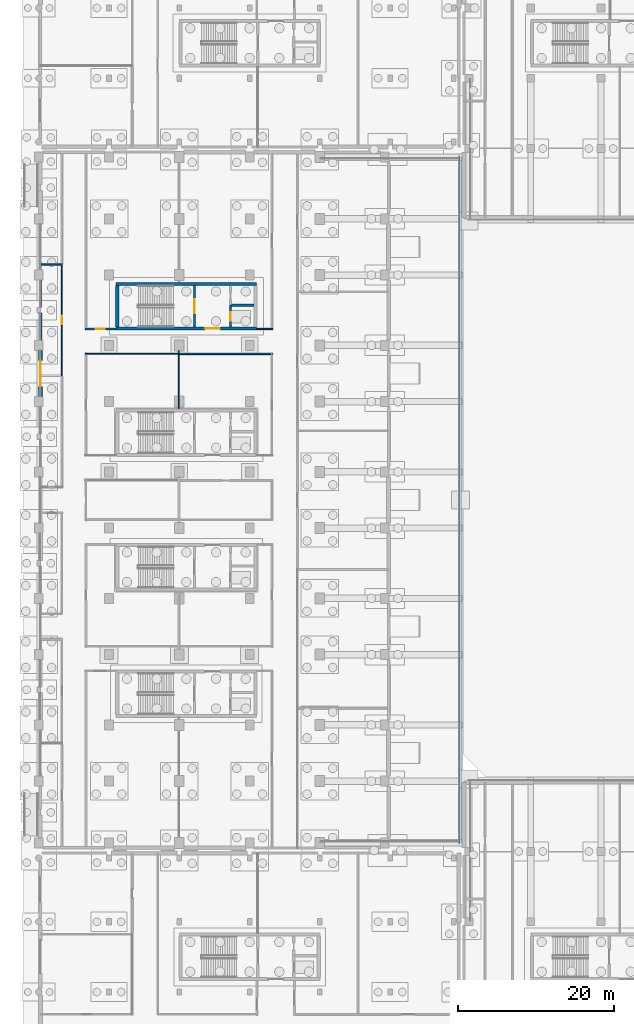
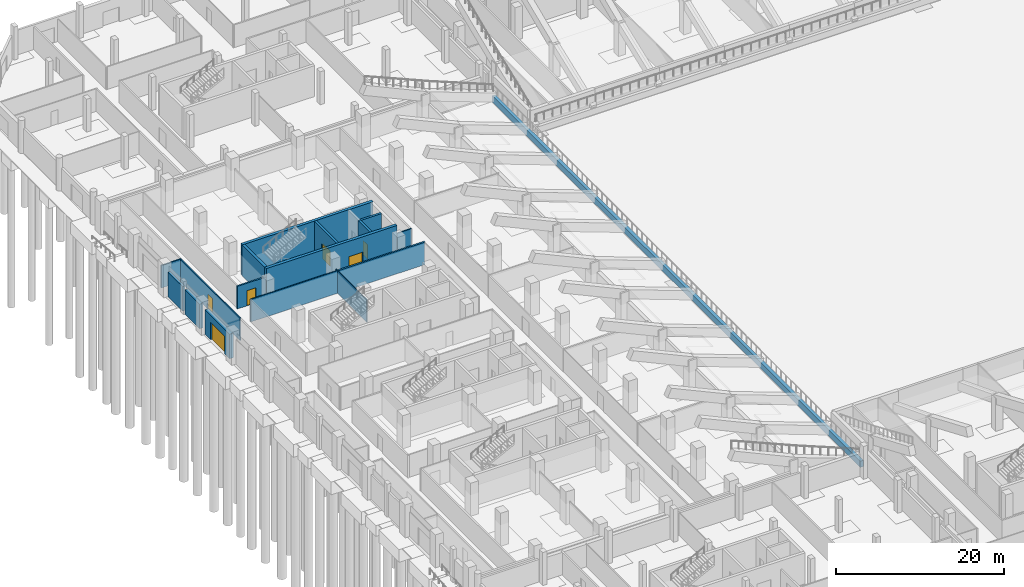
# One storey, part 21 of 53: 17 walls, 6 doors, 6 openings.
"""IFC4 building model written with IfcOpenShell, lengths in metres."""

from ifc_helpers import new_model, si_unit, direction, frame, frame_2d, origin, place, context, subcontext, project, spatial, rectangle, extrude, material, layer, layer_set, type_object, element, fill, save


model = new_model("IFC4")

# Units and contexts
model_context = context("Model", 3, precision=1e-05, world=origin(), true_north=direction((0.0, 1.0)))
body_context = subcontext(model_context, "Body", "Model", "MODEL_VIEW")
ifc_project = project(units=[si_unit("LENGTHUNIT", "METRE"), si_unit("AREAUNIT", "SQUARE_METRE"), si_unit("VOLUMEUNIT", "CUBIC_METRE"), si_unit("PLANEANGLEUNIT", "RADIAN"), si_unit("MASSUNIT", "GRAM", prefix="KILO"), si_unit("THERMODYNAMICTEMPERATUREUNIT", "KELVIN"), si_unit("POWERUNIT", "WATT")], contexts=[model_context])

# Site, building, storey
site_placement = place(None, origin())
site = spatial("IfcSite", under=ifc_project, at=site_placement, CompositionType="ELEMENT")
building_placement = place(site_placement, origin())
building = spatial("IfcBuilding", under=site, at=building_placement, Name="Sindhuravela Promenade Stadium", CompositionType="ELEMENT")
storey_placement = place(building_placement, origin())
storey = spatial("IfcBuildingStorey", under=building, at=storey_placement, Name="L00", CompositionType="ELEMENT", Elevation=0.0)

# Walls
ifc_material_1 = material(Name="Dholpur sandstone ashlar (45 MPa)", Category="masonry")
ifc_layer_1 = layer(ifc_material_1, 0.31005859375)
ifc_layer_set_1 = layer_set([ifc_layer_1], Name="Dholpur sandstone ashlar (45 MPa)")
wall_type_1 = type_object("IfcWallType", Name="EX-WL-SND310", PredefinedType="SOLIDWALL", material=ifc_layer_set_1)
wall_1_placement = place(storey_placement, frame((0.199951171875, 105.655029296875, 0.0), z_axis=(0.0, 0.0, 1.0), x_axis=(0.0, 1.0, 0.0)))
element("IfcWall", 1, at=wall_1_placement, inside=storey, type_object=wall_type_1, Name="Exterior masonry wall EW09 WEST L00", PredefinedType="SOLIDWALL", context=body_context, shape_type="SweptSolid", body=[
    extrude(rectangle(XDim=3.489990234375, YDim=0.31005859375, at=frame_2d((1.7451171875, 0.0))), origin(), (0.0, 0.0, 1.0), 3.580078125),
])
ifc_layer_2 = layer(ifc_material_1, 0.47998046875)
ifc_layer_set_2 = layer_set([ifc_layer_2], Name="Dholpur sandstone ashlar (45 MPa)")
wall_type_2 = type_object("IfcWallType", Name="EX-WL-SND480", PredefinedType="SOLIDWALL", material=ifc_layer_set_2)
wall_2_placement = place(storey_placement, frame((0.199951171875, 101.455078125, 0.0), z_axis=(0.0, 0.0, 1.0), x_axis=(0.0, 1.0, 0.0)))
element("IfcWall", 2, at=wall_2_placement, inside=storey, type_object=wall_type_2, Name="Exterior masonry wall EW08 WEST L00", PredefinedType="SOLIDWALL", context=body_context, shape_type="SweptSolid", body=[
    extrude(rectangle(XDim=3.489990234375, YDim=0.47998046875, at=frame_2d((1.7451171875, 0.0))), origin(), (0.0, 0.0, 1.0), 3.580078125),
])

# Wall, opening, door
ifc_layer_3 = layer(ifc_material_1, 0.5)
ifc_layer_set_3 = layer_set([ifc_layer_3], Name="Dholpur sandstone ashlar (45 MPa)")
wall_type_3 = type_object("IfcWallType", Name="EX-WL-SND500", PredefinedType="SOLIDWALL", material=ifc_layer_set_3)
wall_3_placement = place(storey_placement, frame((0.199951171875, 94.2548828125, 0.0), z_axis=(0.0, 0.0, 1.0), x_axis=(0.0, 1.0, 0.0)))
wall_3 = element("IfcWall", 3, at=wall_3_placement, inside=storey, type_object=wall_type_3, Name="Exterior masonry wall EW07 WEST L00", PredefinedType="SOLIDWALL", context=body_context, shape_type="SweptSolid", body=[
    extrude(rectangle(XDim=5.89013671875, YDim=0.5, at=frame_2d((2.945068359375, 0.0))), origin(), (0.0, 0.0, 1.0), 3.580078125),
])
opening_1_placement = place(wall_3_placement, frame((1.294921875, 0.0, 0.0)))
opening_1 = element("IfcOpeningElement", 4, at=opening_1_placement, cuts=wall_3, Name="Opening E12", PredefinedType="OPENING", context=body_context, shape_type="SweptSolid", body=[
    extrude(rectangle(XDim=3.300048828125, YDim=2.550048828125, at=frame_2d((1.64990234375, 1.27490234375))), frame((0.0, 0.260009765625, 0.0), z_axis=(0.0, -1.0, 0.0), x_axis=(1.0, 0.0, 0.0)), (0.0, 0.0, 1.0), 0.52001953125),
])
ifc_material_2 = material(Name="Anodised architectural aluminium 6063-T6", Category="aluminium")
door_type_1 = type_object("IfcDoorType", Name="DR-EXIT-3300x2550", OperationType="DOUBLE_DOOR_SINGLE_SWING", PredefinedType="DOOR", material=ifc_material_2)
door_1_placement = place(opening_1_placement, origin())
door_1 = element("IfcDoor", 5, at=door_1_placement, inside=storey, type_object=door_type_1, Name="Final exit door E12", OperationType="DOUBLE_DOOR_SINGLE_SWING", OverallHeight=2.550048828125, OverallWidth=3.300048828125, PredefinedType="DOOR", context=body_context, shape_type="SweptSolid", body=[
    extrude(rectangle(XDim=3.300048828125, YDim=2.550048828125, at=frame_2d((1.64990234375, 1.27490234375))), frame((0.0, 0.02490234375, 0.0), z_axis=(0.0, -1.0, 0.0), x_axis=(1.0, 0.0, 0.0)), (0.0, 0.0, 1.0), 0.050048828125),
])
fill(opening_1, door_1)

# Walls
ifc_material_3 = material(Name="Fire-rated gypsum partition board", Category="gypsum")
ifc_layer_4 = layer(ifc_material_3, 0.1298828125)
ifc_layer_set_4 = layer_set([ifc_layer_4], Name="Fire-rated gypsum partition board")
wall_type_4 = type_object("IfcWallType", Name="IN-WL-PAR130", PredefinedType="PARTITIONING", material=ifc_layer_set_4)
wall_4_placement = place(storey_placement, frame((17.949951171875, 100.097900390625, 0.0), z_axis=(0.0, 0.0, 1.0), x_axis=(0.0, -1.0, 0.0)))
element("IfcWall", 6, at=wall_4_placement, inside=storey, type_object=wall_type_4, Name="Interior partition IW05 WEST L00", PredefinedType="PARTITIONING", context=body_context, shape_type="SweptSolid", body=[
    extrude(rectangle(XDim=7.44580078125, YDim=0.1298828125, at=frame_2d((3.722900390625, 0.0))), origin(), (0.0, 0.0, 1.0), 3.280029296875),
])
ifc_layer_5 = layer(ifc_material_3, 0.14990234375)
ifc_layer_set_5 = layer_set([ifc_layer_5], Name="Fire-rated gypsum partition board")
wall_type_5 = type_object("IfcWallType", Name="IN-WL-PAR150", PredefinedType="PARTITIONING", material=ifc_layer_set_5)
wall_5_placement = place(storey_placement, frame((5.9599609375, 99.7099609375, 0.0), z_axis=(0.0, 0.0, 1.0), x_axis=(1.0, 0.0, 0.0)))
element("IfcWall", 7, at=wall_5_placement, inside=storey, type_object=wall_type_5, Name="Interior partition IW04 WEST L00", PredefinedType="PARTITIONING", context=body_context, shape_type="SweptSolid", body=[
    extrude(rectangle(XDim=11.949951171875, YDim=0.14990234375, at=frame_2d((5.97509765625, 0.0))), origin(), (0.0, 0.0, 1.0), 3.280029296875),
])

# Wall, opening, door
wall_6_placement = place(storey_placement, frame((2.9599609375, 96.9033203125, 0.0), z_axis=(0.0, 0.0, 1.0), x_axis=(0.0, 1.0, 0.0)))
wall_6 = element("IfcWall", 8, at=wall_6_placement, inside=storey, type_object=wall_type_5, Name="Corridor partition IW04 Media Mixed Zone Hall 8", PredefinedType="PARTITIONING", context=body_context, shape_type="SweptSolid", body=[
    extrude(rectangle(XDim=14.263427734375, YDim=0.14990234375, at=frame_2d((7.1318359375, 0.0))), origin(), (0.0, 0.0, 1.0), 3.280029296875),
])
opening_2_placement = place(wall_6_placement, frame((6.591796875, 0.0, 0.0)))
opening_2 = element("IfcOpeningElement", 9, at=opening_2_placement, cuts=wall_6, Name="Opening ID12", PredefinedType="OPENING", context=body_context, shape_type="SweptSolid", body=[
    extrude(rectangle(XDim=1.080078125, YDim=2.179931640625, at=frame_2d((0.5400390625, 1.08984375))), frame((0.0, 0.0849609375, 0.0), z_axis=(0.0, -1.0, 0.0), x_axis=(1.0, 0.0, 0.0)), (0.0, 0.0, 1.0), 0.169921875),
])
ifc_material_4 = material(Name="Architectural teak timber leaf", Category="wood")
door_type_2 = type_object("IfcDoorType", Name="DR-INT-1080x2180", OperationType="NOTDEFINED", PredefinedType="DOOR", material=ifc_material_4)
door_2_placement = place(opening_2_placement, origin())
door_2 = element("IfcDoor", 10, at=door_2_placement, inside=storey, type_object=door_type_2, Name="Media Mixed Zone Hall 8 door", OperationType="SINGLE_SWING_LEFT", OverallHeight=2.179931640625, OverallWidth=1.080078125, PredefinedType="DOOR", context=body_context, shape_type="SweptSolid", body=[
    extrude(rectangle(XDim=1.080078125, YDim=2.179931640625, at=frame_2d((0.5400390625, 1.08984375))), frame((0.0, 0.02490234375, 0.0), z_axis=(0.0, -1.0, 0.0), x_axis=(1.0, 0.0, 0.0)), (0.0, 0.0, 1.0), 0.050048828125),
])
fill(opening_2, door_2)

# Walls
ifc_layer_6 = layer(ifc_material_3, 0.175048828125)
ifc_layer_set_6 = layer_set([ifc_layer_6], Name="Fire-rated gypsum partition board")
wall_type_6 = type_object("IfcWallType", Name="IN-WL-PAR175", PredefinedType="PARTITIONING", material=ifc_layer_set_6)
wall_7_placement = place(storey_placement, frame((29.93994140625, 102.889892578125, 0.0), z_axis=(0.0, 0.0, 1.0), x_axis=(-1.0, 0.0, 0.0)))
element("IfcWall", 11, at=wall_7_placement, inside=storey, type_object=wall_type_6, Name="Interior partition IW03 WEST L00", PredefinedType="PARTITIONING", context=body_context, shape_type="SweptSolid", body=[
    extrude(rectangle(XDim=2.037841796875, YDim=0.175048828125, at=frame_2d((1.01904296875, 0.0))), origin(), (0.0, 0.0, 1.0), 3.280029296875),
])
wall_8_placement = place(storey_placement, frame((3.0400390625, 111.166748046875, 0.0), z_axis=(0.0, 0.0, 1.0), x_axis=(-1.0, 0.0, 0.0)))
element("IfcWall", 12, at=wall_8_placement, inside=storey, type_object=wall_type_6, Name="Interior partition IW03 WEST L00", PredefinedType="PARTITIONING", context=body_context, shape_type="SweptSolid", body=[
    extrude(rectangle(XDim=2.800048828125, YDim=0.175048828125, at=frame_2d((1.39990234375, 0.0))), origin(), (0.0, 0.0, 1.0), 3.280029296875),
])

# Wall, opening, door
ifc_layer_7 = layer(ifc_material_3, 0.219970703125)
ifc_layer_set_7 = layer_set([ifc_layer_7], Name="Fire-rated gypsum partition board")
wall_type_7 = type_object("IfcWallType", Name="IN-WL-PAR220", PredefinedType="PARTITIONING", material=ifc_layer_set_7)
wall_9_placement = place(storey_placement, frame((5.919921875, 102.889892578125, 0.0), z_axis=(0.0, 0.0, 1.0), x_axis=(1.0, 0.0, 0.0)))
wall_9 = element("IfcWall", 13, at=wall_9_placement, inside=storey, type_object=wall_type_7, Name="Corridor partition IW01 Fire Command Centre", PredefinedType="PARTITIONING", context=body_context, shape_type="SweptSolid", body=[
    extrude(rectangle(XDim=3.97802734375, YDim=0.219970703125, at=frame_2d((1.989013671875, 0.0))), origin(), (0.0, 0.0, 1.0), 3.280029296875),
])
opening_3_placement = place(wall_9_placement, frame((1.35009765625, 0.0, 0.0)))
opening_3 = element("IfcOpeningElement", 14, at=opening_3_placement, cuts=wall_9, Name="Opening FD04", PredefinedType="OPENING", context=body_context, shape_type="SweptSolid", body=[
    extrude(rectangle(XDim=1.199951171875, YDim=2.199951171875, at=frame_2d((0.60009765625, 1.10009765625))), frame((0.0, 0.119873046875, 0.0), z_axis=(0.0, -1.0, 0.0), x_axis=(1.0, 0.0, 0.0)), (0.0, 0.0, 1.0), 0.239990234375),
])
ifc_material_5 = material(Name="Architectural wrought steel E350", Category="steel")
door_type_3 = type_object("IfcDoorType", Name="DR-FCC-1200x2200", OperationType="NOTDEFINED", PredefinedType="DOOR", material=ifc_material_5)
door_3_placement = place(opening_3_placement, origin())
door_3 = element("IfcDoor", 15, at=door_3_placement, inside=storey, type_object=door_type_3, Name="Fire Command Centre door", OperationType="SINGLE_SWING_RIGHT", OverallHeight=2.199951171875, OverallWidth=1.199951171875, PredefinedType="DOOR", context=body_context, shape_type="SweptSolid", body=[
    extrude(rectangle(XDim=1.199951171875, YDim=2.199951171875, at=frame_2d((0.60009765625, 1.10009765625))), frame((0.0, 0.02490234375, 0.0), z_axis=(0.0, -1.0, 0.0), x_axis=(1.0, 0.0, 0.0)), (0.0, 0.0, 1.0), 0.050048828125),
])
fill(opening_3, door_3)

# Wall
wall_10_placement = place(storey_placement, frame((17.989990234375, 99.7099609375, 0.0), z_axis=(0.0, 0.0, 1.0), x_axis=(1.0, 0.0, 0.0)))
element("IfcWall", 16, at=wall_10_placement, inside=storey, type_object=wall_type_7, Name="Interior partition IW01 WEST L00", PredefinedType="PARTITIONING", context=body_context, shape_type="SweptSolid", body=[
    extrude(rectangle(XDim=11.949951171875, YDim=0.219970703125, at=frame_2d((5.97509765625, 0.0))), origin(), (0.0, 0.0, 1.0), 3.280029296875),
])

# Wall, opening, door
ifc_material_6 = material(Name="Concrete M50", Category="concrete")
ifc_layer_8 = layer(ifc_material_6, 0.300048828125)
ifc_layer_set_8 = layer_set([ifc_layer_8], Name="Concrete M50")
wall_type_8 = type_object("IfcWallType", Name="RC-SW-300", PredefinedType="SHEAR", material=ifc_layer_set_8)
wall_11_placement = place(storey_placement, frame((19.949951171875, 103.14990234375, 0.0), z_axis=(0.0, 0.0, 1.0), x_axis=(0.0, 1.0, 0.0)))
wall_11 = element("IfcWall", 17, at=wall_11_placement, inside=storey, type_object=wall_type_8, Name="Core shear wall C04-ST (L00)", PredefinedType="SHEAR", context=body_context, shape_type="SweptSolid", body=[
    extrude(rectangle(XDim=5.300048828125, YDim=0.300048828125, at=frame_2d((2.64990234375, 0.0))), origin(), (0.0, 0.0, 1.0), 4.5),
])
opening_4_placement = place(wall_11_placement, frame((1.75, 0.0, 0.0)))
opening_4 = element("IfcOpeningElement", 18, at=opening_4_placement, cuts=wall_11, Name="Opening FD01", PredefinedType="OPENING", context=body_context, shape_type="SweptSolid", body=[
    extrude(rectangle(XDim=1.800048828125, YDim=2.25, at=frame_2d((0.89990234375, 1.125))), frame((0.0, 0.159912109375, 0.0), z_axis=(0.0, -1.0, 0.0), x_axis=(1.0, 0.0, 0.0)), (0.0, 0.0, 1.0), 0.320068359375),
])
door_type_4 = type_object("IfcDoorType", Name="DR-CORE-1800x2250", OperationType="DOUBLE_DOOR_SINGLE_SWING", PredefinedType="DOOR", material=ifc_material_5)
door_4_placement = place(opening_4_placement, origin())
door_4 = element("IfcDoor", 19, at=door_4_placement, inside=storey, type_object=door_type_4, Name="Stair ST04 lobby fire door (L00)", OperationType="DOUBLE_DOOR_SINGLE_SWING", OverallHeight=2.25, OverallWidth=1.800048828125, PredefinedType="DOOR", context=body_context, shape_type="SweptSolid", body=[
    extrude(rectangle(XDim=1.800048828125, YDim=2.25, at=frame_2d((0.89990234375, 1.125))), frame((0.0, 0.02490234375, 0.0), z_axis=(0.0, -1.0, 0.0), x_axis=(1.0, 0.0, 0.0)), (0.0, 0.0, 1.0), 0.050048828125),
])
fill(opening_4, door_4)

wall_12_placement = place(storey_placement, frame((24.550048828125, 103.14990234375, 0.0), z_axis=(0.0, 0.0, 1.0), x_axis=(0.0, 1.0, 0.0)))
wall_12 = element("IfcWall", 20, at=wall_12_placement, inside=storey, type_object=wall_type_8, Name="Core shear wall C04-LFT (L00)", PredefinedType="SHEAR", context=body_context, shape_type="SweptSolid", body=[
    extrude(rectangle(XDim=2.800048828125, YDim=0.300048828125, at=frame_2d((1.39990234375, 0.0))), origin(), (0.0, 0.0, 1.0), 4.5),
])
opening_5_placement = place(wall_12_placement, frame((0.77490234375, 0.0, 0.0)))
opening_5 = element("IfcOpeningElement", 21, at=opening_5_placement, cuts=wall_12, Name="Opening LD", PredefinedType="OPENING", context=body_context, shape_type="SweptSolid", body=[
    extrude(rectangle(XDim=1.10009765625, YDim=2.10009765625, at=frame_2d((0.550048828125, 1.050048828125))), frame((0.0, 0.159912109375, 0.0), z_axis=(0.0, -1.0, 0.0), x_axis=(1.0, 0.0, 0.0)), (0.0, 0.0, 1.0), 0.320068359375),
])
door_type_5 = type_object("IfcDoorType", Name="DR-LFT-1100x2100", OperationType="DOUBLE_DOOR_SLIDING", PredefinedType="DOOR", material=ifc_material_5)
door_5_placement = place(opening_5_placement, origin())
door_5 = element("IfcDoor", 22, at=door_5_placement, inside=storey, type_object=door_type_5, Name="Lift FL04 landing door (L00)", OperationType="DOUBLE_DOOR_SLIDING", OverallHeight=2.10009765625, OverallWidth=1.10009765625, PredefinedType="DOOR", context=body_context, shape_type="SweptSolid", body=[
    extrude(rectangle(XDim=1.10009765625, YDim=2.10009765625, at=frame_2d((0.550048828125, 1.050048828125))), frame((0.0, 0.02490234375, 0.0), z_axis=(0.0, -1.0, 0.0), x_axis=(1.0, 0.0, 0.0)), (0.0, 0.0, 1.0), 0.050048828125),
])
fill(opening_5, door_5)

# Wall
wall_13_placement = place(storey_placement, frame((24.699951171875, 105.949951171875, 0.0), z_axis=(0.0, 0.0, 1.0), x_axis=(1.0, 0.0, 0.0)))
element("IfcWall", 23, at=wall_13_placement, inside=storey, type_object=wall_type_8, Name="Core shear wall C04-DIV (L00)", PredefinedType="SHEAR", context=body_context, shape_type="SweptSolid", body=[
    extrude(rectangle(XDim=2.85009765625, YDim=0.300048828125, at=frame_2d((1.425048828125, 0.0))), origin(), (0.0, 0.0, 1.0), 4.5),
])

# Wall, opening, door
ifc_layer_9 = layer(ifc_material_6, 0.39990234375)
ifc_layer_set_9 = layer_set([ifc_layer_9], Name="Concrete M50")
wall_type_9 = type_object("IfcWallType", Name="RC-SW-400", PredefinedType="SHEAR", material=ifc_layer_set_9)
wall_14_placement = place(storey_placement, frame((9.89990234375, 102.949951171875, 0.0), z_axis=(0.0, 0.0, 1.0), x_axis=(1.0, 0.0, 0.0)))
wall_14 = element("IfcWall", 24, at=wall_14_placement, inside=storey, type_object=wall_type_9, Name="Core shear wall C04-S (L00)", PredefinedType="SHEAR", context=body_context, shape_type="SweptSolid", body=[
    extrude(rectangle(XDim=18.0, YDim=0.39990234375, at=frame_2d((9.0, 0.0))), origin(), (0.0, 0.0, 1.0), 4.5),
])
opening_6_placement = place(wall_14_placement, frame((11.39990234375, 0.0, 0.0)))
opening_6 = element("IfcOpeningElement", 25, at=opening_6_placement, cuts=wall_14, Name="Opening FD02", PredefinedType="OPENING", context=body_context, shape_type="SweptSolid", body=[
    extrude(rectangle(XDim=1.89990234375, YDim=2.25, at=frame_2d((0.949951171875, 1.125))), frame((0.0, 0.2099609375, 0.0), z_axis=(0.0, -1.0, 0.0), x_axis=(1.0, 0.0, 0.0)), (0.0, 0.0, 1.0), 0.419921875),
])
door_type_6 = type_object("IfcDoorType", Name="DR-LOB-1900x2250", OperationType="DOUBLE_DOOR_SINGLE_SWING", PredefinedType="DOOR", material=ifc_material_5)
door_6_placement = place(opening_6_placement, origin())
door_6 = element("IfcDoor", 26, at=door_6_placement, inside=storey, type_object=door_type_6, Name="Protected lobby entrance door C04 (L00)", OperationType="DOUBLE_DOOR_SINGLE_SWING", OverallHeight=2.25, OverallWidth=1.89990234375, PredefinedType="DOOR", context=body_context, shape_type="SweptSolid", body=[
    extrude(rectangle(XDim=1.89990234375, YDim=2.25, at=frame_2d((0.949951171875, 1.125))), frame((0.0, 0.02490234375, 0.0), z_axis=(0.0, -1.0, 0.0), x_axis=(1.0, 0.0, 0.0)), (0.0, 0.0, 1.0), 0.050048828125),
])
fill(opening_6, door_6)

# Walls
wall_15_placement = place(storey_placement, frame((27.89990234375, 108.64990234375, 0.0), z_axis=(0.0, 0.0, 1.0), x_axis=(-1.0, 0.0, 0.0)))
element("IfcWall", 27, at=wall_15_placement, inside=storey, type_object=wall_type_9, Name="Core shear wall C04-N (L00)", PredefinedType="SHEAR", context=body_context, shape_type="SweptSolid", body=[
    extrude(rectangle(XDim=18.0, YDim=0.39990234375, at=frame_2d((9.0, 0.0))), origin(), (0.0, 0.0, 1.0), 4.5),
])
wall_16_placement = place(storey_placement, frame((10.050048828125, 108.449951171875, 0.0), z_axis=(0.0, 0.0, 1.0), x_axis=(0.0, -1.0, 0.0)))
element("IfcWall", 28, at=wall_16_placement, inside=storey, type_object=wall_type_9, Name="Core shear wall C04-W (L00)", PredefinedType="SHEAR", context=body_context, shape_type="SweptSolid", body=[
    extrude(rectangle(XDim=5.300048828125, YDim=0.39990234375, at=frame_2d((2.64990234375, 0.0))), origin(), (0.0, 0.0, 1.0), 4.5),
])
ifc_layer_10 = layer(ifc_material_6, 0.43994140625)
ifc_layer_set_10 = layer_set([ifc_layer_10], Name="Concrete M50")
wall_type_10 = type_object("IfcWallType", Name="RC-WL-PLINTH440", PredefinedType="SOLIDWALL", material=ifc_layer_set_10)
wall_17_placement = place(storey_placement, frame((54.0, 37.10009765625, 0.0), z_axis=(0.0, 0.0, 1.0), x_axis=(0.0, 1.0, 0.0)))
element("IfcWall", 29, at=wall_17_placement, inside=storey, type_object=wall_type_10, Name="Bowl front plinth wall PW-WEST", PredefinedType="SOLIDWALL", context=body_context, shape_type="SweptSolid", body=[
    extrude(rectangle(XDim=87.7998046875, YDim=0.43994140625, at=frame_2d((43.89990234375, 0.0))), origin(), (0.0, 0.0, 1.0), 0.89990234375),
])

save(model, "model.ifc")
